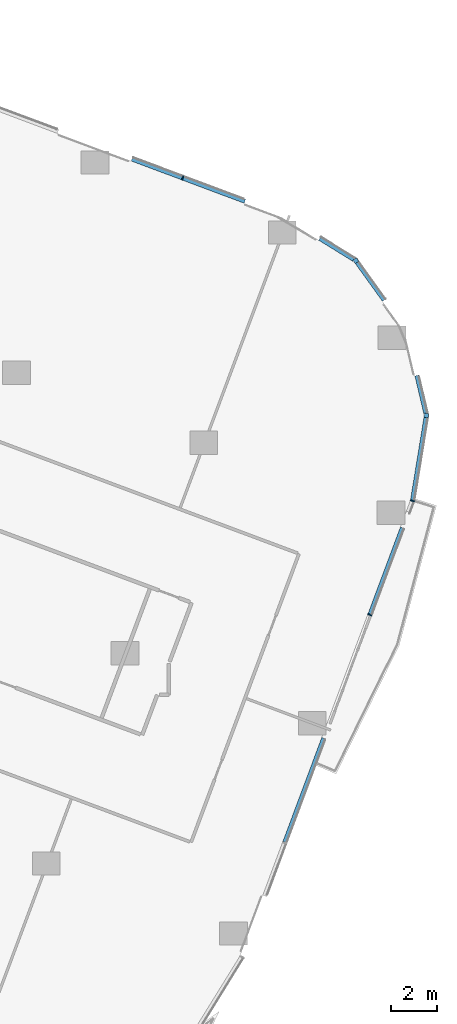
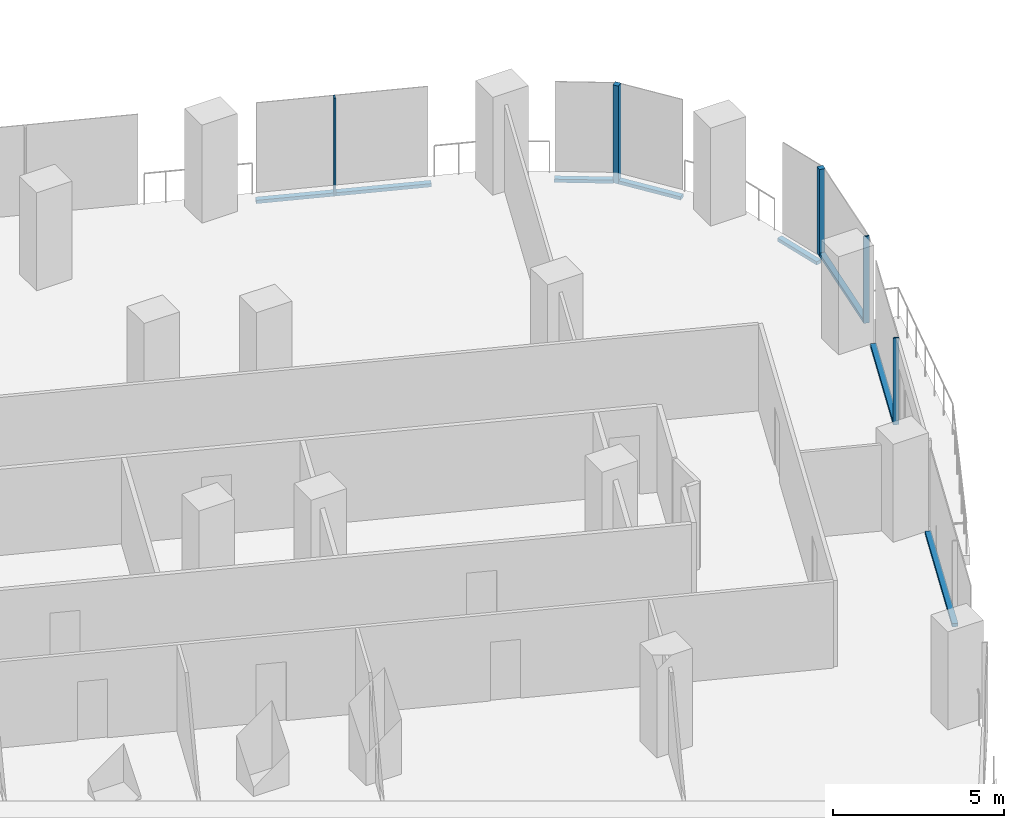
# One storey, part 10 of 30: 12 members, 6 elements without a shape of their own.
"""IFC4 building model written with IfcOpenShell, lengths in metres."""

from ifc_helpers import new_model, si_unit, direction, frame, origin, origin_2d, place, context, subcontext, project, spatial, rectangle, extrude, material, material_profile, profile_set, type_object, element, aggregate, save


model = new_model("IFC4")

# Units and contexts
model_context = context("Model", 3, precision=1e-05, world=origin(), true_north=direction((0.0, 1.0)))
body_context = subcontext(model_context, "Body", "Model", "MODEL_VIEW")
ifc_project = project(units=[si_unit("LENGTHUNIT", "METRE"), si_unit("AREAUNIT", "SQUARE_METRE"), si_unit("VOLUMEUNIT", "CUBIC_METRE"), si_unit("PLANEANGLEUNIT", "RADIAN"), si_unit("MASSUNIT", "GRAM", prefix="KILO")], contexts=[model_context])

# Site, building, storey
site_placement = place(None, origin())
site = spatial("IfcSite", under=ifc_project, at=site_placement, CompositionType="ELEMENT")
building_placement = place(site_placement, origin())
building = spatial("IfcBuilding", under=site, at=building_placement, Name="Orlundy Tower", CompositionType="ELEMENT")
storey_placement = place(building_placement, frame((0.0, 0.0, 80.699951171875)))
storey = spatial("IfcBuildingStorey", under=building, at=storey_placement, Name="L19", CompositionType="ELEMENT", Elevation=80.699951171875)

# Curtain wall, member
ifc_material_1 = material(Name="Aluminium bronze anodised", Category="aluminium")
curtain_wall_type = type_object("IfcCurtainWallType", Name="CW1 wall", PredefinedType="NOTDEFINED", material=ifc_material_1)
curtain_wall_1_placement = place(storey_placement, origin())
curtain_wall_1 = element("IfcCurtainWall", 1, at=curtain_wall_1_placement, inside=storey, type_object=curtain_wall_type, Name="CW1 run 08", PredefinedType="NOTDEFINED")
ifc_material_2 = material(Name="Aluminium bronze anodised", Category="aluminium")
ifc_material_profile_1 = material_profile(ifc_material_2, rectangle(XDim=0.179931640625, YDim=0.179931640625, at=origin_2d()), Name="CW1 corner post 180x180")
ifc_profile_set_1 = profile_set([ifc_material_profile_1], Name="Aluminium bronze anodised")
member_type_1 = type_object("IfcMemberType", Name="CW1 corner post 180x180", PredefinedType="MULLION", material=ifc_profile_set_1)
member_1_placement = place(storey_placement, frame((57.052490234375, -0.659912109375, -0.39990234375), z_axis=(0.0, 0.0, 1.0), x_axis=(0.811723617772, 0.584041752233, 0.0)))
member_1 = element("IfcMember", 2, at=member_1_placement, type_object=member_type_1, Name="CW1 mullion 33", PredefinedType="MULLION", context=body_context, shape_type="SweptSolid", body=[
    extrude(rectangle(XDim=0.179931640625, YDim=0.179931640625, at=origin_2d()), origin(), (0.0, 0.0, 1.0), 3.5),
])

curtain_wall_2_placement = place(storey_placement, origin())
curtain_wall_2 = element("IfcCurtainWall", 3, at=curtain_wall_2_placement, inside=storey, type_object=curtain_wall_type, Name="CW1 run 010", PredefinedType="NOTDEFINED")
member_2_placement = place(storey_placement, frame((60.0966796875, -7.3408203125, 0.0), z_axis=(0.0, 0.0, 1.0), x_axis=(0.986985368462, -0.160810081906, 0.0)))
member_2 = element("IfcMember", 4, at=member_2_placement, type_object=member_type_1, Name="CW1 mullion 35", PredefinedType="MULLION", context=body_context, shape_type="SweptSolid", body=[
    extrude(rectangle(XDim=0.179931640625, YDim=0.179931640625, at=origin_2d()), origin(), (0.0, 0.0, 1.0), 3.10009765625),
])

curtain_wall_3_placement = place(storey_placement, origin())
curtain_wall_3 = element("IfcCurtainWall", 5, at=curtain_wall_3_placement, inside=storey, type_object=curtain_wall_type, Name="CW1 run 06", PredefinedType="NOTDEFINED")
ifc_material_3 = material(Name="Aluminium bronze anodised", Category="aluminium")
ifc_material_profile_2 = material_profile(ifc_material_3, rectangle(XDim=0.179931640625, YDim=0.050048828125, at=origin_2d()), Name="CW1 mullion 50x180")
ifc_profile_set_2 = profile_set([ifc_material_profile_2], Name="Aluminium bronze anodised")
member_type_2 = type_object("IfcMemberType", Name="CW1 mullion 50x180", PredefinedType="MULLION", material=ifc_profile_set_2)
member_3_placement = place(storey_placement, frame((49.5712890625, 2.914306640625, -0.39990234375), z_axis=(0.0, 0.0, 1.0), x_axis=(0.350203812273, 0.93667352363, 0.0)))
member_3 = element("IfcMember", 6, at=member_3_placement, type_object=member_type_2, Name="CW1 mullion 31", PredefinedType="MULLION", context=body_context, shape_type="SweptSolid", body=[
    extrude(rectangle(XDim=0.179931640625, YDim=0.050048828125, at=origin_2d()), origin(), (0.0, 0.0, 1.0), 3.5),
])

# Curtain wall, members
curtain_wall_4_placement = place(storey_placement, origin())
curtain_wall_4 = element("IfcCurtainWall", 7, at=curtain_wall_4_placement, inside=storey, type_object=curtain_wall_type, Name="CW1 run 011", PredefinedType="NOTDEFINED")
member_4_placement = place(storey_placement, frame((59.496337890625, -11.025146484375, 0.0), z_axis=(0.0, 0.0, 1.0), x_axis=(0.966481186218, -0.256737446988, 0.0)))
member_4 = element("IfcMember", 8, at=member_4_placement, type_object=member_type_2, Name="CW1 mullion 36", PredefinedType="MULLION", context=body_context, shape_type="SweptSolid", body=[
    extrude(rectangle(XDim=0.179931640625, YDim=0.050048828125, at=origin_2d()), origin(), (0.0, 0.0, 1.0), 3.10009765625),
])
member_5_placement = place(storey_placement, frame((57.65478515625, -15.950927734375, 0.0), z_axis=(0.0, 0.0, 1.0), x_axis=(0.936677057252, -0.350194360916, 0.0)))
member_5 = element("IfcMember", 9, at=member_5_placement, type_object=member_type_2, Name="CW1 mullion 37", PredefinedType="MULLION", context=body_context, shape_type="SweptSolid", body=[
    extrude(rectangle(XDim=0.179931640625, YDim=0.050048828125, at=origin_2d()), origin(), (0.0, 0.0, 1.0), 3.10009765625),
])

# Member
ifc_material_4 = material(Name="Aluminium bronze anodised", Category="aluminium")
ifc_material_profile_3 = material_profile(ifc_material_4, rectangle(XDim=0.179931640625, YDim=0.1201171875, at=origin_2d()), Name="CW1 transom 180x120")
ifc_profile_set_3 = profile_set([ifc_material_profile_3], Name="Aluminium bronze anodised")
member_type_3 = type_object("IfcMemberType", Name="CW1 transom 180x120", PredefinedType="USERDEFINED", material=ifc_profile_set_3)
member_6_placement = place(storey_placement, frame((47.385498046875, 3.7314453125, -0.33984375), z_axis=(0.936675925427, -0.350197388235, 0.0), x_axis=(0.350197388235, 0.936675925427, 0.0)))
member_6 = element("IfcMember", 10, at=member_6_placement, type_object=member_type_3, Name="CW1 transom", ObjectType="TRANSOM", PredefinedType="USERDEFINED", context=body_context, shape_type="SweptSolid", body=[
    extrude(rectangle(XDim=0.179931640625, YDim=0.1201171875, at=origin_2d()), origin(), (0.0, 0.0, 1.0), 5.201416015625),
])

aggregate(curtain_wall_3, [member_3, member_6])

# Curtain wall, member
curtain_wall_5_placement = place(storey_placement, origin())
curtain_wall_5 = element("IfcCurtainWall", 11, at=curtain_wall_5_placement, inside=storey, type_object=curtain_wall_type, Name="CW1 run 07", PredefinedType="NOTDEFINED")
member_7_placement = place(storey_placement, frame((55.494384765625, 0.30419921875, -0.33984375), z_axis=(0.850385084631, -0.526160819367, 0.0), x_axis=(0.526160819367, 0.850385084631, 0.0)))
member_7 = element("IfcMember", 12, at=member_7_placement, type_object=member_type_3, Name="CW1 transom", ObjectType="TRANSOM", PredefinedType="USERDEFINED", context=body_context, shape_type="SweptSolid", body=[
    extrude(rectangle(XDim=0.179931640625, YDim=0.1201171875, at=origin_2d()), origin(), (0.0, 0.0, 1.0), 1.73486328125),
])
aggregate(curtain_wall_5, [member_7])

# Member
member_8_placement = place(storey_placement, frame((57.105224609375, -0.73291015625, -0.33984375), z_axis=(0.58401841018, -0.811740412059, 0.0), x_axis=(0.811740412059, 0.58401841018, 0.0)))
member_8 = element("IfcMember", 13, at=member_8_placement, type_object=member_type_3, Name="CW1 transom", ObjectType="TRANSOM", PredefinedType="USERDEFINED", context=body_context, shape_type="SweptSolid", body=[
    extrude(rectangle(XDim=0.179931640625, YDim=0.1201171875, at=origin_2d()), origin(), (0.0, 0.0, 1.0), 1.99951171875),
])

aggregate(curtain_wall_1, [member_1, member_8])

# Curtain wall, member
curtain_wall_6_placement = place(storey_placement, origin())
curtain_wall_6 = element("IfcCurtainWall", 14, at=curtain_wall_6_placement, inside=storey, type_object=curtain_wall_type, Name="CW1 run 09", PredefinedType="NOTDEFINED")
member_9_placement = place(storey_placement, frame((59.68994140625, -5.614013671875, -0.33984375), z_axis=(0.229355872108, -0.973342634394, 0.0), x_axis=(0.973342634394, 0.229355872108, 0.0)))
member_9 = element("IfcMember", 15, at=member_9_placement, type_object=member_type_3, Name="CW1 transom", ObjectType="TRANSOM", PredefinedType="USERDEFINED", context=body_context, shape_type="SweptSolid", body=[
    extrude(rectangle(XDim=0.179931640625, YDim=0.1201171875, at=origin_2d()), origin(), (0.0, 0.0, 1.0), 1.676513671875),
])
aggregate(curtain_wall_6, [member_9])

# Member
member_10_placement = place(storey_placement, frame((60.082275390625, -7.4296875, 0.06005859375), z_axis=(-0.160808608313, -0.986985608554, 0.0), x_axis=(0.986985608554, -0.160808608313, 0.0)))
member_10 = element("IfcMember", 16, at=member_10_placement, type_object=member_type_3, Name="CW1 transom", ObjectType="TRANSOM", PredefinedType="USERDEFINED", context=body_context, shape_type="SweptSolid", body=[
    extrude(rectangle(XDim=0.179931640625, YDim=0.1201171875, at=origin_2d()), origin(), (0.0, 0.0, 1.0), 3.617919921875),
])

aggregate(curtain_wall_2, [member_2, member_10])

member_11_placement = place(storey_placement, frame((59.060546875, -12.19091796875, 0.06005859375), z_axis=(-0.350191003238, -0.936678312576, 0.0), x_axis=(0.936678312576, -0.350191003238, 0.0)))
member_11 = element("IfcMember", 17, at=member_11_placement, type_object=member_type_3, Name="CW1 transom", ObjectType="TRANSOM", PredefinedType="USERDEFINED", context=body_context, shape_type="SweptSolid", body=[
    extrude(rectangle(XDim=0.179931640625, YDim=0.1201171875, at=origin_2d()), origin(), (0.0, 0.0, 1.0), 3.9892578125),
])

member_12_placement = place(storey_placement, frame((55.66357421875, -21.277099609375, 0.06005859375), z_axis=(-0.350190240459, -0.936678597752, 0.0), x_axis=(0.936678597752, -0.350190240459, 0.0)))
member_12 = element("IfcMember", 18, at=member_12_placement, type_object=member_type_3, Name="CW1 transom", ObjectType="TRANSOM", PredefinedType="USERDEFINED", context=body_context, shape_type="SweptSolid", body=[
    extrude(rectangle(XDim=0.179931640625, YDim=0.1201171875, at=origin_2d()), origin(), (0.0, 0.0, 1.0), 4.788818359375),
])

aggregate(curtain_wall_4, [member_4, member_5, member_11, member_12])

save(model, "model.ifc")
